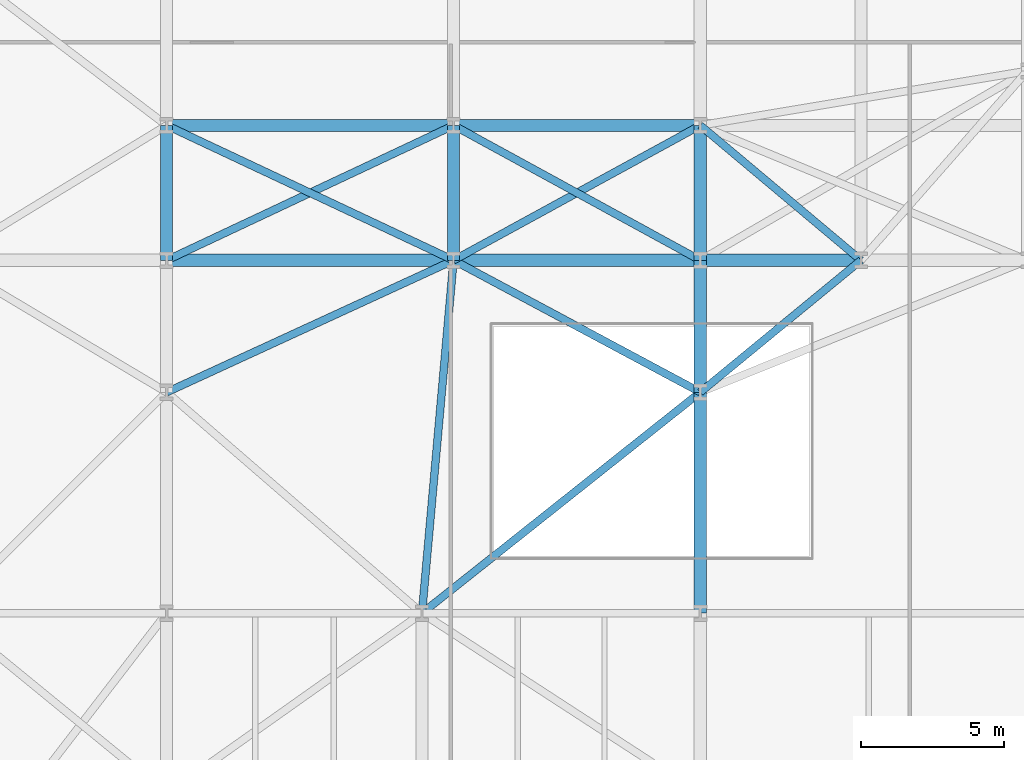
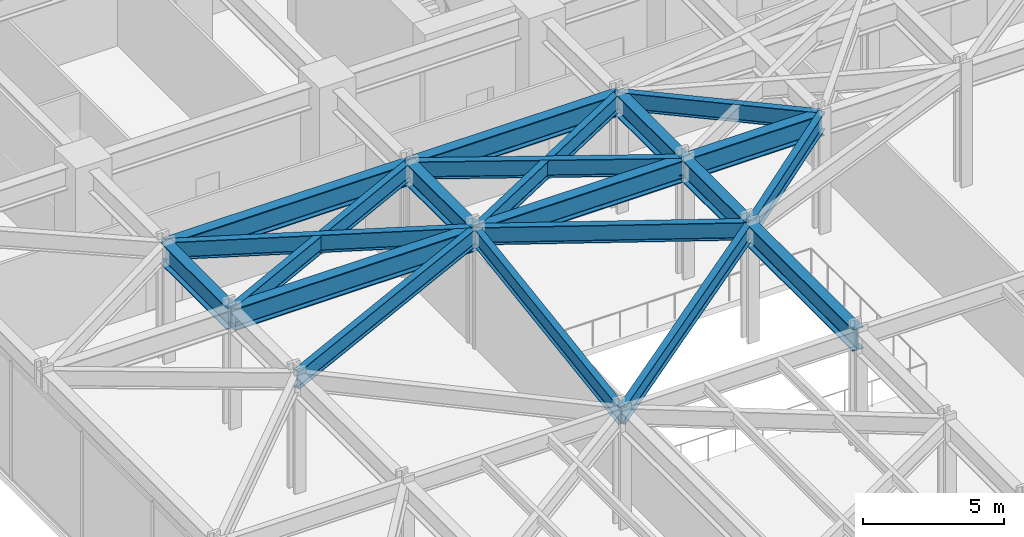
# One storey, part 11 of 29: 20 beams.
"""IFC4 building model written with IfcOpenShell, lengths in metres."""

import ifcopenshell
import ifcopenshell.guid

model = None  # the IFC model being written
_history = None  # IfcOwnerHistory: only IFC2X3 demands one
_inside = {}  # id of a spatial element -> (the spatial element, [elements in it])
_under = {}  # id of a project, library or spatial element -> (it, [spatial elements below it])
_declared = {}  # id of a project -> (the project, [libraries it declares])
_typed = {}  # id of a type object -> (the type object, [elements of that type])
_made_of = {}  # id of a material, layer set ... -> (it, [elements and type objects made of it])


def new_model(schema):
    """Start an empty IFC model of exactly this schema.

    Asked for "IFC4X3", IfcOpenShell would pick the latest addendum, in which some entities
    have other attributes; the version numbers below select the first issue.
    IFC2X3 requires an IfcOwnerHistory on every rooted entity: one is made here for all.
    """
    global model, _history
    if schema == "IFC4X3":
        model = ifcopenshell.file(schema_version=(4, 3, 0, 0))
    else:
        model = ifcopenshell.file(schema=schema)
    _inside.clear()
    _under.clear()
    _declared.clear()
    _typed.clear()
    _made_of.clear()
    _history = None
    if model.schema == "IFC2X3":
        org = make("IfcOrganization", Name="unknown")
        user = make(
            "IfcPersonAndOrganization",
            ThePerson=make("IfcPerson", FamilyName="unknown"),
            TheOrganization=org,
        )
        app = make(
            "IfcApplication",
            ApplicationDeveloper=org,
            Version="unknown",
            ApplicationFullName="unknown",
            ApplicationIdentifier="unknown",
        )
        _history = make(
            "IfcOwnerHistory",
            OwningUser=user,
            OwningApplication=app,
            ChangeAction="ADDED",
            CreationDate=0,
        )
    return model


def make(cls, **values):
    """One entity of the class cls with the attributes given. An attribute that is None is left unset."""
    return model.create_entity(
        cls, **{name: value for name, value in values.items() if value is not None}
    )


def rooted(cls, **values):
    """An entity with a GlobalId (a new one), such as an element, a storey or a relation."""
    return make(cls, GlobalId=ifcopenshell.guid.new(), OwnerHistory=_history, **values)


def si_unit(unit_type, name, prefix=None):
    """IfcSIUnit, for example si_unit("LENGTHUNIT", "METRE", prefix="MILLI")."""
    return make("IfcSIUnit", UnitType=unit_type, Prefix=prefix, Name=name)


def assignment(units):
    """IfcUnitAssignment: the units of a project."""
    return None if units is None else make("IfcUnitAssignment", Units=units)


def point(xyz):
    """IfcCartesianPoint."""
    return None if xyz is None else make("IfcCartesianPoint", Coordinates=xyz)


def direction(xyz):
    """IfcDirection."""
    return None if xyz is None else make("IfcDirection", DirectionRatios=xyz)


def frame(location, z_axis=None, x_axis=None):
    """IfcAxis2Placement3D, a coordinate frame: its origin and axes. An axis left out is left unset."""
    return make(
        "IfcAxis2Placement3D",
        Location=point(location),
        Axis=direction(z_axis),
        RefDirection=direction(x_axis),
    )


def frame_2d(location, x_axis=None):
    """IfcAxis2Placement2D, a coordinate frame in the plane: its origin and x axis."""
    return make(
        "IfcAxis2Placement2D", Location=point(location), RefDirection=direction(x_axis)
    )


def origin():
    """The frame at (0, 0, 0) with its axes left unset."""
    return frame((0.0, 0.0, 0.0))


def origin_2d():
    """The frame at (0, 0) in the plane with its x axis left unset."""
    return frame_2d((0.0, 0.0))


def place(relative_to, where):
    """IfcLocalPlacement: puts the frame where relative to a parent placement (None: the world)."""
    return make(
        "IfcLocalPlacement", PlacementRelTo=relative_to, RelativePlacement=where
    )


def context(
    kind, dimensions, precision=None, world=None, true_north=None, identifier=None
):
    """IfcGeometricRepresentationContext, for example the 3D "Model" context."""
    return make(
        "IfcGeometricRepresentationContext",
        ContextIdentifier=identifier,
        ContextType=kind,
        CoordinateSpaceDimension=dimensions,
        Precision=precision,
        WorldCoordinateSystem=world,
        TrueNorth=true_north,
    )


def subcontext(parent, identifier, kind, view, scale=None):
    """IfcGeometricRepresentationSubContext, for example "Body" below "Model"."""
    return make(
        "IfcGeometricRepresentationSubContext",
        ContextIdentifier=identifier,
        ContextType=kind,
        ParentContext=parent,
        TargetScale=scale,
        TargetView=view,
    )


def project(units=None, contexts=None):
    """IfcProject with its units and contexts."""
    return rooted(
        "IfcProject",
        Name="project",
        RepresentationContexts=contexts,
        UnitsInContext=assignment(units),
    )


def spatial(cls, under=None, at=None, **own):
    """A site, building, storey or space (cls), placed at a placement, below another one or the project."""
    s = rooted(cls, ObjectPlacement=at, **own)
    if under is not None:
        _under.setdefault(under.id(), (under, []))[1].append(s)
    return s


def profile(cls, at=None, kind="AREA", **sizes):
    """A parametric profile (cls). Its sizes go by their IFC names, for example OverallWidth=200.0."""
    return make(cls, ProfileType=kind, Position=at, **sizes)


def i_section(**sizes):
    """IfcIShapeProfileDef."""
    return profile("IfcIShapeProfileDef", **sizes)


def extrude(swept, where, along, depth):
    """IfcExtrudedAreaSolid: the profile swept, set in the frame where, extruded along a direction by depth."""
    return make(
        "IfcExtrudedAreaSolid",
        SweptArea=swept,
        Position=where,
        ExtrudedDirection=direction(along),
        Depth=depth,
    )


def shape(context_of_items, identifier, shape_type, items):
    """IfcShapeRepresentation: the items that make up one representation, for example the "Body"."""
    return make(
        "IfcShapeRepresentation",
        ContextOfItems=context_of_items,
        RepresentationIdentifier=identifier,
        RepresentationType=shape_type,
        Items=items,
    )


def material(Name=None, Category=None):
    """IfcMaterial."""
    return make("IfcMaterial", Name=Name, Category=Category)


def material_profile(
    of_material, cross_section, Name=None, Category=None, Priority=None
):
    """IfcMaterialProfile: a cross section and its material."""
    return make(
        "IfcMaterialProfile",
        Name=Name,
        Material=of_material,
        Profile=cross_section,
        Priority=Priority,
        Category=Category,
    )


def profile_set(profiles, Name=None, composite=None):
    """IfcMaterialProfileSet."""
    return make(
        "IfcMaterialProfileSet",
        Name=Name,
        MaterialProfiles=profiles,
        CompositeProfile=composite,
    )


def made_of(thing, what):
    """Note that an element or type object is made of a material, layer set ...; save() writes the relation."""
    if what is not None:
        _made_of.setdefault(what.id(), (what, []))[1].append(thing)
    return thing


def type_object(cls, material=None, **own):
    """A type object (cls), such as IfcWallType, which elements share."""
    return made_of(rooted(cls, **own), material)


def element(
    cls,
    number,
    at=None,
    inside=None,
    cuts=None,
    type_object=None,
    material=None,
    context=None,
    identifier="Body",
    shape_type=None,
    held_by="IfcProductDefinitionShape",
    body=None,
    shapes=None,
    **own,
):
    """One element of the class cls, such as IfcWall. Its Tag is "e" and its number.

    at: its placement. inside: the storey or other place that contains it. cuts: it is an
    opening in that element (IfcRelVoidsElement). A single representation is given by context,
    identifier, shape_type and body (its items); several are given by shapes. held_by: the class
    of the entity that holds the representations. save() writes the other relations.
    """
    e = rooted(cls, Tag="e%d" % number, ObjectPlacement=at, **own)
    if body is not None:
        shapes = [shape(context, identifier, shape_type, body)]
    if shapes is not None:
        e.Representation = make(held_by, Representations=shapes)
    if inside is not None:
        _inside.setdefault(inside.id(), (inside, []))[1].append(e)
    if cuts is not None:
        rooted(
            "IfcRelVoidsElement", RelatingBuildingElement=cuts, RelatedOpeningElement=e
        )
    if type_object is not None:
        _typed.setdefault(type_object.id(), (type_object, []))[1].append(e)
    return made_of(e, material)


def aggregate(whole, parts):
    """IfcRelAggregates: a whole, such as a stair, and the parts it consists of."""
    return rooted("IfcRelAggregates", RelatingObject=whole, RelatedObjects=parts)


def save(model, path):
    """Write the relations noted so far, then the file.

    IfcRelAggregates (storeys below a building ...), IfcRelContainedInSpatialStructure (elements
    in a storey), IfcRelDefinesByType, IfcRelAssociatesMaterial and IfcRelDeclares: one each for
    every whole, place, type object, material and project.
    """
    for whole, parts in _under.values():
        aggregate(whole, parts)
    for where, things in _inside.values():
        rooted(
            "IfcRelContainedInSpatialStructure",
            RelatedElements=things,
            RelatingStructure=where,
        )
    for kind, things in _typed.values():
        rooted("IfcRelDefinesByType", RelatedObjects=things, RelatingType=kind)
    for what, things in _made_of.values():
        rooted("IfcRelAssociatesMaterial", RelatedObjects=things, RelatingMaterial=what)
    for by, libraries in _declared.values():
        rooted("IfcRelDeclares", RelatingContext=by, RelatedDefinitions=libraries)
    model.write(path)


model = new_model("IFC4")

# Units and contexts
model_context = context("Model", 3, precision=1e-05, world=origin(), true_north=direction((0.0, 1.0)))
body_context = subcontext(model_context, "Body", "Model", "MODEL_VIEW")
ifc_project = project(units=[si_unit("LENGTHUNIT", "METRE"), si_unit("AREAUNIT", "SQUARE_METRE"), si_unit("VOLUMEUNIT", "CUBIC_METRE"), si_unit("PLANEANGLEUNIT", "RADIAN"), si_unit("MASSUNIT", "GRAM", prefix="KILO")], contexts=[model_context])

# Site, building, storey
site_placement = place(None, origin())
site = spatial("IfcSite", under=ifc_project, at=site_placement, CompositionType="ELEMENT")
building_placement = place(site_placement, origin())
building = spatial("IfcBuilding", under=site, at=building_placement, Name="Kravanh Interchange Tower", CompositionType="ELEMENT")
storey_placement = place(building_placement, frame((0.0, 0.0, 5.39990234375)))
storey = spatial("IfcBuildingStorey", under=building, at=storey_placement, Name="L01", CompositionType="ELEMENT", Elevation=5.39990234375)

# Beams
ifc_material_1 = material(Name="Structural Steel S450", Category="steel")
ifc_material_profile_1 = material_profile(ifc_material_1, i_section(OverallWidth=0.423095703125, OverallDepth=0.947998046875, WebThickness=0.02392578125, FlangeThickness=0.042724609375, FilletRadius=0.028076171875, at=origin_2d()), Name="W36X302")
ifc_profile_set_1 = profile_set([ifc_material_profile_1], Name="Structural Steel S450")
beam_type_1 = type_object("IfcBeamType", Name="Floor Beam W36X302 Structural Steel S450", PredefinedType="BEAM", material=ifc_profile_set_1)
beam_1_placement = place(storey_placement, frame((27.199951171875, 14.5, 4.656005859375), z_axis=(0.0, 1.0, 0.0), x_axis=(-1.0, 0.0, 0.0)))
element("IfcBeam", 1, at=beam_1_placement, inside=storey, type_object=beam_type_1, Name="L01 Primary Floor Girder 45", PredefinedType="BEAM", context=body_context, shape_type="SweptSolid", body=[
    extrude(i_section(OverallWidth=0.423095703125, OverallDepth=0.947998046875, WebThickness=0.02392578125, FlangeThickness=0.042724609375, FilletRadius=0.028076171875, at=origin_2d()), origin(), (0.0, 0.0, 1.0), 7.699951171875),
])
beam_2_placement = place(storey_placement, frame((27.199951171875, 22.199951171875, 4.656005859375), z_axis=(0.0, 1.0, 0.0), x_axis=(-1.0, 0.0, 0.0)))
element("IfcBeam", 2, at=beam_2_placement, inside=storey, type_object=beam_type_1, Name="L01 Primary Floor Girder 61", PredefinedType="BEAM", context=body_context, shape_type="SweptSolid", body=[
    extrude(i_section(OverallWidth=0.423095703125, OverallDepth=0.947998046875, WebThickness=0.02392578125, FlangeThickness=0.042724609375, FilletRadius=0.028076171875, at=origin_2d()), origin(), (0.0, 0.0, 1.0), 4.60009765625),
])
beam_3_placement = place(storey_placement, frame((8.60009765625, 26.800048828125, 4.656005859375), z_axis=(0.0, 1.0, 0.0), x_axis=(-1.0, 0.0, 0.0)))
element("IfcBeam", 3, at=beam_3_placement, inside=storey, type_object=beam_type_1, Name="L01 Primary Floor Girder 73", PredefinedType="BEAM", context=body_context, shape_type="SweptSolid", body=[
    extrude(i_section(OverallWidth=0.423095703125, OverallDepth=0.947998046875, WebThickness=0.02392578125, FlangeThickness=0.042724609375, FilletRadius=0.028076171875, at=origin_2d()), origin(), (0.0, 0.0, 1.0), 4.699951171875),
])
beam_4_placement = place(storey_placement, frame((8.60009765625, 26.800048828125, 4.656005859375), z_axis=(1.0, 0.0, 0.0), x_axis=(0.0, 1.0, 0.0)))
element("IfcBeam", 4, at=beam_4_placement, inside=storey, type_object=beam_type_1, Name="L01 Primary Floor Girder 75", PredefinedType="BEAM", context=body_context, shape_type="SweptSolid", body=[
    extrude(i_section(OverallWidth=0.423095703125, OverallDepth=0.947998046875, WebThickness=0.02392578125, FlangeThickness=0.042724609375, FilletRadius=0.028076171875, at=origin_2d()), origin(), (0.0, 0.0, 1.0), 10.0),
])
beam_5_placement = place(storey_placement, frame((18.60009765625, 26.800048828125, 4.656005859375), z_axis=(0.0, 1.0, 0.0), x_axis=(-1.0, 0.0, 0.0)))
element("IfcBeam", 5, at=beam_5_placement, inside=storey, type_object=beam_type_1, Name="L01 Primary Floor Girder 77", PredefinedType="BEAM", context=body_context, shape_type="SweptSolid", body=[
    extrude(i_section(OverallWidth=0.423095703125, OverallDepth=0.947998046875, WebThickness=0.02392578125, FlangeThickness=0.042724609375, FilletRadius=0.028076171875, at=origin_2d()), origin(), (0.0, 0.0, 1.0), 4.699951171875),
])
beam_6_placement = place(storey_placement, frame((18.60009765625, 26.800048828125, 4.656005859375), z_axis=(1.0, 0.0, 0.0), x_axis=(0.0, 1.0, 0.0)))
element("IfcBeam", 6, at=beam_6_placement, inside=storey, type_object=beam_type_1, Name="L01 Primary Floor Girder 78", PredefinedType="BEAM", context=body_context, shape_type="SweptSolid", body=[
    extrude(i_section(OverallWidth=0.423095703125, OverallDepth=0.947998046875, WebThickness=0.02392578125, FlangeThickness=0.042724609375, FilletRadius=0.028076171875, at=origin_2d()), origin(), (0.0, 0.0, 1.0), 8.599853515625),
])
beam_7_placement = place(storey_placement, frame((27.199951171875, 26.800048828125, 4.656005859375), z_axis=(0.0, 1.0, 0.0), x_axis=(-1.0, 0.0, 0.0)))
element("IfcBeam", 7, at=beam_7_placement, inside=storey, type_object=beam_type_1, Name="L01 Primary Floor Girder 81", PredefinedType="BEAM", context=body_context, shape_type="SweptSolid", body=[
    extrude(i_section(OverallWidth=0.423095703125, OverallDepth=0.947998046875, WebThickness=0.02392578125, FlangeThickness=0.042724609375, FilletRadius=0.028076171875, at=origin_2d()), origin(), (0.0, 0.0, 1.0), 4.699951171875),
])
beam_8_placement = place(storey_placement, frame((27.199951171875, 26.800048828125, 4.656005859375), z_axis=(1.0, 0.0, 0.0), x_axis=(0.0, 1.0, 0.0)))
element("IfcBeam", 8, at=beam_8_placement, inside=storey, type_object=beam_type_1, Name="L01 Primary Floor Girder 82", PredefinedType="BEAM", context=body_context, shape_type="SweptSolid", body=[
    extrude(i_section(OverallWidth=0.423095703125, OverallDepth=0.947998046875, WebThickness=0.02392578125, FlangeThickness=0.042724609375, FilletRadius=0.028076171875, at=origin_2d()), origin(), (0.0, 0.0, 1.0), 5.60009765625),
])
beam_9_placement = place(storey_placement, frame((8.60009765625, 31.5, 4.656005859375), z_axis=(1.0, 0.0, 0.0), x_axis=(0.0, 1.0, 0.0)))
element("IfcBeam", 9, at=beam_9_placement, inside=storey, type_object=beam_type_1, Name="L01 Primary Floor Girder 107", PredefinedType="BEAM", context=body_context, shape_type="SweptSolid", body=[
    extrude(i_section(OverallWidth=0.423095703125, OverallDepth=0.947998046875, WebThickness=0.02392578125, FlangeThickness=0.042724609375, FilletRadius=0.028076171875, at=origin_2d()), origin(), (0.0, 0.0, 1.0), 10.0),
])
beam_10_placement = place(storey_placement, frame((18.60009765625, 31.5, 4.656005859375), z_axis=(1.0, 0.0, 0.0), x_axis=(0.0, 1.0, 0.0)))
element("IfcBeam", 10, at=beam_10_placement, inside=storey, type_object=beam_type_1, Name="L01 Primary Floor Girder 109", PredefinedType="BEAM", context=body_context, shape_type="SweptSolid", body=[
    extrude(i_section(OverallWidth=0.423095703125, OverallDepth=0.947998046875, WebThickness=0.02392578125, FlangeThickness=0.042724609375, FilletRadius=0.028076171875, at=origin_2d()), origin(), (0.0, 0.0, 1.0), 8.599853515625),
])
ifc_material_2 = material(Name="Structural Steel S355", Category="steel")
ifc_material_profile_2 = material_profile(ifc_material_2, i_section(OverallWidth=0.26708984375, OverallDepth=0.761962890625, WebThickness=0.014404296875, FlangeThickness=0.021484375, FilletRadius=0.02490234375, at=origin_2d()), Name="W30X116")
ifc_profile_set_2 = profile_set([ifc_material_profile_2], Name="Structural Steel S355")
beam_type_2 = type_object("IfcBeamType", Name="Floor Spandrel W30X116 Structural Steel S355", PredefinedType="SPANDREL", material=ifc_profile_set_2)
beam_11_placement = place(storey_placement, frame((17.5, 14.5, 4.7490234375), z_axis=(0.089082890706, 0.996024215862, 0.0), x_axis=(-0.996024215862, 0.089082890706, 0.0)))
element("IfcBeam", 11, at=beam_11_placement, inside=storey, type_object=beam_type_2, Name="L01 Perimeter Spandrel 43", PredefinedType="SPANDREL", context=body_context, shape_type="SweptSolid", body=[
    extrude(i_section(OverallWidth=0.26708984375, OverallDepth=0.761962890625, WebThickness=0.014404296875, FlangeThickness=0.021484375, FilletRadius=0.02490234375, at=origin_2d()), origin(), (0.0, 0.0, 1.0), 12.34912109375),
])
beam_12_placement = place(storey_placement, frame((17.5, 14.5, 4.7490234375), z_axis=(0.78322688578, 0.621735993321, 0.0), x_axis=(-0.621735993321, 0.78322688578, 0.0)))
element("IfcBeam", 12, at=beam_12_placement, inside=storey, type_object=beam_type_2, Name="L01 Perimeter Spandrel 44", PredefinedType="SPANDREL", context=body_context, shape_type="SweptSolid", body=[
    extrude(i_section(OverallWidth=0.26708984375, OverallDepth=0.761962890625, WebThickness=0.014404296875, FlangeThickness=0.021484375, FilletRadius=0.02490234375, at=origin_2d()), origin(), (0.0, 0.0, 1.0), 12.384521484375),
])
beam_13_placement = place(storey_placement, frame((8.60009765625, 22.199951171875, 4.7490234375), z_axis=(0.908487084298, 0.417912930721, 0.0), x_axis=(-0.417912930721, 0.908487084298, 0.0)))
element("IfcBeam", 13, at=beam_13_placement, inside=storey, type_object=beam_type_2, Name="L01 Perimeter Spandrel 60", PredefinedType="SPANDREL", context=body_context, shape_type="SweptSolid", body=[
    extrude(i_section(OverallWidth=0.26708984375, OverallDepth=0.761962890625, WebThickness=0.014404296875, FlangeThickness=0.021484375, FilletRadius=0.02490234375, at=origin_2d()), origin(), (0.0, 0.0, 1.0), 11.00732421875),
])
beam_14_placement = place(storey_placement, frame((27.199951171875, 22.199951171875, 4.7490234375), z_axis=(0.772725074305, 0.634740860147, 0.0), x_axis=(-0.634740860147, 0.772725074305, 0.0)))
element("IfcBeam", 14, at=beam_14_placement, inside=storey, type_object=beam_type_2, Name="L01 Perimeter Spandrel 62", PredefinedType="SPANDREL", context=body_context, shape_type="SweptSolid", body=[
    extrude(i_section(OverallWidth=0.26708984375, OverallDepth=0.761962890625, WebThickness=0.014404296875, FlangeThickness=0.021484375, FilletRadius=0.02490234375, at=origin_2d()), origin(), (0.0, 0.0, 1.0), 7.247314453125),
])
beam_15_placement = place(storey_placement, frame((27.199951171875, 22.199951171875, 4.7490234375), z_axis=(-0.881777136221, 0.471666282489, 0.0), x_axis=(-0.471666282489, -0.881777136221, 0.0)))
element("IfcBeam", 15, at=beam_15_placement, inside=storey, type_object=beam_type_2, Name="L01 Perimeter Spandrel 63", PredefinedType="SPANDREL", context=body_context, shape_type="SweptSolid", body=[
    extrude(i_section(OverallWidth=0.26708984375, OverallDepth=0.761962890625, WebThickness=0.014404296875, FlangeThickness=0.021484375, FilletRadius=0.02490234375, at=origin_2d()), origin(), (0.0, 0.0, 1.0), 9.7529296875),
])
beam_16_placement = place(storey_placement, frame((8.60009765625, 26.800048828125, 4.7490234375), z_axis=(0.905025402916, 0.425357520301, 0.0), x_axis=(-0.425357520301, 0.905025402916, 0.0)))
element("IfcBeam", 16, at=beam_16_placement, inside=storey, type_object=beam_type_2, Name="L01 Perimeter Spandrel 76", PredefinedType="SPANDREL", context=body_context, shape_type="SweptSolid", body=[
    extrude(i_section(OverallWidth=0.26708984375, OverallDepth=0.761962890625, WebThickness=0.014404296875, FlangeThickness=0.021484375, FilletRadius=0.02490234375, at=origin_2d()), origin(), (0.0, 0.0, 1.0), 11.04931640625),
])
beam_17_placement = place(storey_placement, frame((18.60009765625, 26.800048828125, 4.7490234375), z_axis=(0.877503996342, 0.479569323877, 0.0), x_axis=(-0.479569323877, 0.877503996342, 0.0)))
element("IfcBeam", 17, at=beam_17_placement, inside=storey, type_object=beam_type_2, Name="L01 Perimeter Spandrel 79", PredefinedType="SPANDREL", context=body_context, shape_type="SweptSolid", body=[
    extrude(i_section(OverallWidth=0.26708984375, OverallDepth=0.761962890625, WebThickness=0.014404296875, FlangeThickness=0.021484375, FilletRadius=0.02490234375, at=origin_2d()), origin(), (0.0, 0.0, 1.0), 9.80029296875),
])
beam_18_placement = place(storey_placement, frame((18.60009765625, 26.800048828125, 4.7490234375), z_axis=(-0.905025402916, 0.425357520301, 0.0), x_axis=(-0.425357520301, -0.905025402916, 0.0)))
element("IfcBeam", 18, at=beam_18_placement, inside=storey, type_object=beam_type_2, Name="L01 Perimeter Spandrel 80", PredefinedType="SPANDREL", context=body_context, shape_type="SweptSolid", body=[
    extrude(i_section(OverallWidth=0.26708984375, OverallDepth=0.761962890625, WebThickness=0.014404296875, FlangeThickness=0.021484375, FilletRadius=0.02490234375, at=origin_2d()), origin(), (0.0, 0.0, 1.0), 11.04931640625),
])
beam_19_placement = place(storey_placement, frame((27.199951171875, 26.800048828125, 4.7490234375), z_axis=(-0.877503996342, 0.479569323877, 0.0), x_axis=(-0.479569323877, -0.877503996342, 0.0)))
element("IfcBeam", 19, at=beam_19_placement, inside=storey, type_object=beam_type_2, Name="L01 Perimeter Spandrel 83", PredefinedType="SPANDREL", context=body_context, shape_type="SweptSolid", body=[
    extrude(i_section(OverallWidth=0.26708984375, OverallDepth=0.761962890625, WebThickness=0.014404296875, FlangeThickness=0.021484375, FilletRadius=0.02490234375, at=origin_2d()), origin(), (0.0, 0.0, 1.0), 9.80029296875),
])
beam_20_placement = place(storey_placement, frame((32.800048828125, 26.800048828125, 4.7490234375), z_axis=(-0.765983062929, 0.642860752657, 0.0), x_axis=(-0.642860752657, -0.765983062929, 0.0)))
element("IfcBeam", 20, at=beam_20_placement, inside=storey, type_object=beam_type_2, Name="L01 Perimeter Spandrel 86", PredefinedType="SPANDREL", context=body_context, shape_type="SweptSolid", body=[
    extrude(i_section(OverallWidth=0.26708984375, OverallDepth=0.761962890625, WebThickness=0.014404296875, FlangeThickness=0.021484375, FilletRadius=0.02490234375, at=origin_2d()), origin(), (0.0, 0.0, 1.0), 7.31103515625),
])

save(model, "model.ifc")
